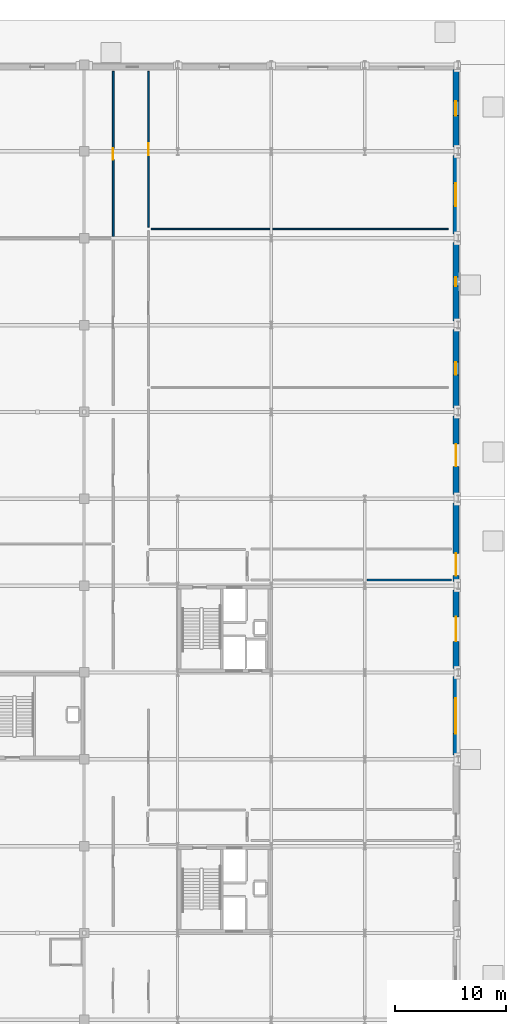
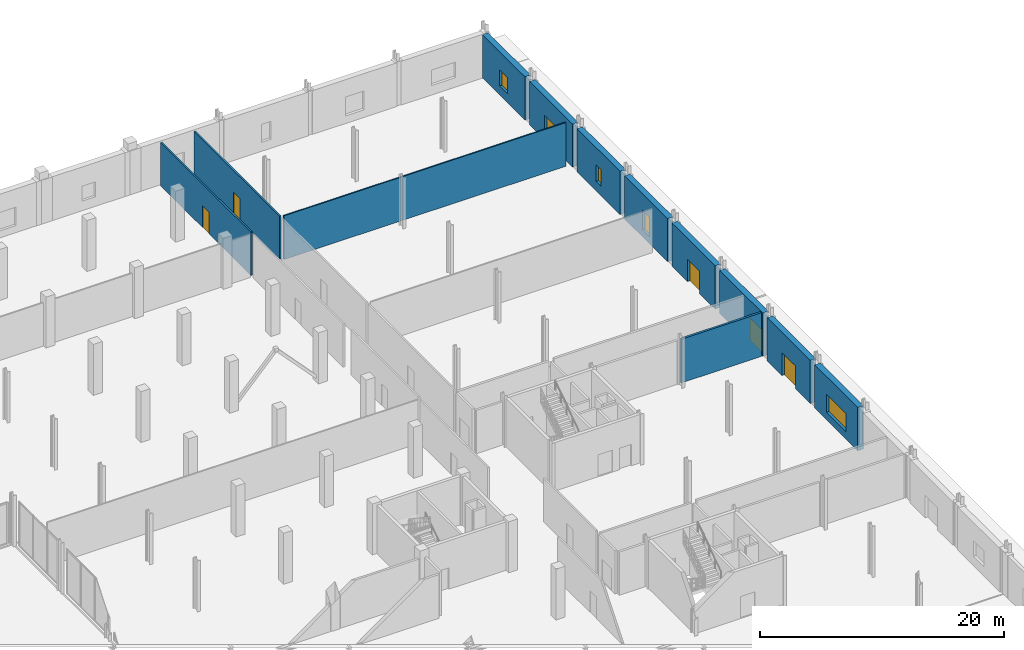
# One storey, part 58 of 80: 12 walls, 5 doors, 5 windows, 10 openings.
"""IFC4 building model written with IfcOpenShell, lengths in metres."""

from ifc_helpers import new_model, si_unit, direction, frame, frame_2d, origin, place, context, subcontext, project, spatial, rectangle, extrude, material, layer, layer_set, type_object, element, fill, save


model = new_model("IFC4")

# Units and contexts
model_context = context("Model", 3, precision=1e-05, world=origin(), true_north=direction((0.0, 1.0)))
body_context = subcontext(model_context, "Body", "Model", "MODEL_VIEW")
ifc_project = project(units=[si_unit("LENGTHUNIT", "METRE"), si_unit("AREAUNIT", "SQUARE_METRE"), si_unit("VOLUMEUNIT", "CUBIC_METRE"), si_unit("PLANEANGLEUNIT", "RADIAN"), si_unit("MASSUNIT", "GRAM", prefix="KILO")], contexts=[model_context])

# Site, building, storey
site_placement = place(None, origin())
site = spatial("IfcSite", under=ifc_project, at=site_placement, CompositionType="ELEMENT")
building_placement = place(site_placement, origin())
building = spatial("IfcBuilding", under=site, at=building_placement, Name="Nabrawat Pavilion Hospital", CompositionType="ELEMENT")
storey_placement = place(building_placement, origin())
storey = spatial("IfcBuildingStorey", under=building, at=storey_placement, Name="L00", CompositionType="ELEMENT", Elevation=0.0)

# Wall, opening, door
ifc_material_1 = material(Name="Gypsum Fireboard on Steel Stud", Category="steel")
ifc_layer_1 = layer(ifc_material_1, 0.14990234375, Name="Gypsum Fireboard on Steel Stud")
ifc_layer_set_1 = layer_set([ifc_layer_1], Name="Gypsum Fireboard on Steel Stud")
wall_type_1 = type_object("IfcWallType", Name="Clinical Corridor Smoke-Barrier Wall 150", PredefinedType="PARTITIONING", material=ifc_layer_set_1)
wall_1_placement = place(storey_placement, frame((162.2099609375, 109.360107421875, 0.0), z_axis=(0.0, 0.0, 1.0), x_axis=(0.0, 1.0, 0.0)))
wall_1 = element("IfcWall", 1, at=wall_1_placement, inside=storey, type_object=wall_type_1, Name="L00 Day Oncology Infusion Suite L00-06 Front Partition", PredefinedType="PARTITIONING", context=body_context, shape_type="SweptSolid", body=[
    extrude(rectangle(XDim=14.81982421875, YDim=0.14990234375, at=frame_2d((7.409912109375, 0.0))), origin(), (0.0, 0.0, 1.0), 4.330078125),
])
opening_1_placement = place(wall_1_placement, frame((6.885009765625, 0.0, 0.0)))
opening_1 = element("IfcOpeningElement", 2, at=opening_1_placement, cuts=wall_1, Name="Opening D-OPC-L", PredefinedType="OPENING", context=body_context, shape_type="SweptSolid", body=[
    extrude(rectangle(XDim=1.050048828125, YDim=2.14990234375, at=frame_2d((0.52490234375, 1.074951171875))), frame((0.0, 0.0849609375, 0.0), z_axis=(0.0, -1.0, 0.0), x_axis=(1.0, 0.0, 0.0)), (0.0, 0.0, 1.0), 0.169921875),
])
ifc_material_2 = material(Name="Stainless-Clad Acoustic Timber and Vision Glass", Category="wood")
door_type_1 = type_object("IfcDoorType", Name="Outpatient Clinic Consultation Door L 1050x2150", OperationType="NOTDEFINED", PredefinedType="DOOR", material=ifc_material_2)
door_1_placement = place(opening_1_placement, origin())
door_1 = element("IfcDoor", 3, at=door_1_placement, inside=storey, type_object=door_type_1, Name="Day Oncology Infusion Suite L00-06 Door", OperationType="SINGLE_SWING_RIGHT", OverallHeight=2.14990234375, OverallWidth=1.050048828125, PredefinedType="DOOR", context=body_context, shape_type="SweptSolid", body=[
    extrude(rectangle(XDim=1.050048828125, YDim=2.14990234375, at=frame_2d((0.52490234375, 1.074951171875))), frame((0.0, 0.02490234375, 0.0), z_axis=(0.0, -1.0, 0.0), x_axis=(1.0, 0.0, 0.0)), (0.0, 0.0, 1.0), 0.050048828125),
])
fill(opening_1, door_1)

wall_2_placement = place(storey_placement, frame((165.389892578125, 110.18994140625, 0.0), z_axis=(0.0, 0.0, 1.0), x_axis=(0.0, 1.0, 0.0)))
wall_2 = element("IfcWall", 4, at=wall_2_placement, inside=storey, type_object=wall_type_1, Name="L00 Acute Inpatient Ward Clinical Care Hub L00-11 Front Partition", PredefinedType="PARTITIONING", context=body_context, shape_type="SweptSolid", body=[
    extrude(rectangle(XDim=13.989990234375, YDim=0.14990234375, at=frame_2d((6.9951171875, 0.0))), origin(), (0.0, 0.0, 1.0), 4.330078125),
])
opening_2_placement = place(wall_2_placement, frame((6.469970703125, 0.0, 0.0)))
opening_2 = element("IfcOpeningElement", 5, at=opening_2_placement, cuts=wall_2, Name="Opening D-OPC-R", PredefinedType="OPENING", context=body_context, shape_type="SweptSolid", body=[
    extrude(rectangle(XDim=1.050048828125, YDim=2.14990234375, at=frame_2d((0.52490234375, 1.074951171875))), frame((0.0, 0.0849609375, 0.0), z_axis=(0.0, -1.0, 0.0), x_axis=(1.0, 0.0, 0.0)), (0.0, 0.0, 1.0), 0.169921875),
])
door_type_2 = type_object("IfcDoorType", Name="Outpatient Clinic Consultation Door R 1050x2150", OperationType="NOTDEFINED", PredefinedType="DOOR", material=ifc_material_2)
door_2_placement = place(opening_2_placement, origin())
door_2 = element("IfcDoor", 6, at=door_2_placement, inside=storey, type_object=door_type_2, Name="Acute Inpatient Ward Clinical Care Hub L00-11 Door", OperationType="SINGLE_SWING_LEFT", OverallHeight=2.14990234375, OverallWidth=1.050048828125, PredefinedType="DOOR", context=body_context, shape_type="SweptSolid", body=[
    extrude(rectangle(XDim=1.050048828125, YDim=2.14990234375, at=frame_2d((0.52490234375, 1.074951171875))), frame((0.0, 0.02490234375, 0.0), z_axis=(0.0, -1.0, 0.0), x_axis=(1.0, 0.0, 0.0)), (0.0, 0.0, 1.0), 0.050048828125),
])
fill(opening_2, door_2)

# Walls
ifc_material_3 = material(Name="Concrete C35/45", Category="concrete")
ifc_layer_2 = layer(ifc_material_3, 0.199951171875, Name="Concrete C35/45")
ifc_layer_set_2 = layer_set([ifc_layer_2], Name="Concrete C35/45")
wall_type_2 = type_object("IfcWallType", Name="Firefighting Lobby Compartment Wall 200", PredefinedType="PARTITIONING", material=ifc_layer_set_2)
wall_3_placement = place(storey_placement, frame((185.0, 78.5, 0.0), z_axis=(0.0, 0.0, 1.0), x_axis=(1.0, 0.0, 0.0)))
element("IfcWall", 7, at=wall_3_placement, inside=storey, type_object=wall_type_2, Name="L00 ST-06 Protected Exit Passage South Fire Wall 3", PredefinedType="PARTITIONING", context=body_context, shape_type="SweptSolid", body=[
    extrude(rectangle(XDim=7.60009765625, YDim=0.199951171875, at=frame_2d((3.800048828125, 0.0))), origin(), (0.0, 0.0, 1.0), 4.3798828125),
])
ifc_material_4 = material(Name="Gypsum Plasterboard on Stud", Category="gypsum")
ifc_layer_3 = layer(ifc_material_4, 0.1201171875, Name="Gypsum Plasterboard on Stud")
ifc_layer_set_3 = layer_set([ifc_layer_3], Name="Gypsum Plasterboard on Stud")
wall_type_3 = type_object("IfcWallType", Name="Outpatient Consultation Partition 120", PredefinedType="PARTITIONING", material=ifc_layer_set_3)
wall_4_placement = place(storey_placement, frame((165.610107421875, 110.030029296875, 0.0), z_axis=(0.0, 0.0, 1.0), x_axis=(1.0, 0.0, 0.0)))
element("IfcWall", 8, at=wall_4_placement, inside=storey, type_object=wall_type_3, Name="L00 Renal Haemodialysis Treatment Station L00-10 Dividing Partition", PredefinedType="PARTITIONING", context=body_context, shape_type="SweptSolid", body=[
    extrude(rectangle(XDim=26.699951171875, YDim=0.1201171875, at=frame_2d((13.35009765625, 0.0))), origin(), (0.0, 0.0, 1.0), 4.3798828125),
])

# Wall, opening, window
ifc_material_5 = material(Name="Precast concrete C40/50", Category="concrete")
ifc_layer_4 = layer(ifc_material_5, 0.5400390625, Name="Precast concrete C40/50")
ifc_layer_set_4 = layer_set([ifc_layer_4], Name="Precast concrete C40/50")
wall_type_4 = type_object("IfcWallType", Name="Podium Monumental Limestone-Clad Wall 540", PredefinedType="SOLIDWALL", material=ifc_layer_set_4)
wall_5_placement = place(storey_placement, frame((192.97998046875, 62.77490234375, 0.0), z_axis=(0.0, 0.0, 1.0), x_axis=(0.0, 1.0, 0.0)))
wall_5 = element("IfcWall", 9, at=wall_5_placement, inside=storey, type_object=wall_type_4, Name="L00 Podium Monumental Limestone-Clad Wall 540 162", PredefinedType="SOLIDWALL", context=body_context, shape_type="SweptSolid", body=[
    extrude(rectangle(XDim=7.050048828125, YDim=0.5400390625, at=frame_2d((3.52490234375, 0.0))), origin(), (0.0, 0.0, 1.0), 4.330078125),
])
opening_3_placement = place(wall_5_placement, frame((1.925048828125, 0.0, 0.75)))
opening_3 = element("IfcOpeningElement", 10, at=opening_3_placement, cuts=wall_5, Name="Opening WN-26", PredefinedType="OPENING", context=body_context, shape_type="SweptSolid", body=[
    extrude(rectangle(XDim=3.199951171875, YDim=1.800048828125, at=frame_2d((1.60009765625, 0.89990234375))), frame((0.0, 0.280029296875, 0.0), z_axis=(0.0, -1.0, 0.0), x_axis=(1.0, 0.0, 0.0)), (0.0, 0.0, 1.0), 0.56005859375),
])
ifc_material_6 = material(Name="Thermally Broken Aluminium and Solar Glass", Category="aluminium")
window_type_1 = type_object("IfcWindowType", Name="Dayroom Picture Window 3200x1800", PartitioningType="SINGLE_PANEL", PredefinedType="WINDOW", material=ifc_material_6)
window_1_placement = place(opening_3_placement, origin())
window_1 = element("IfcWindow", 11, at=window_1_placement, inside=storey, type_object=window_type_1, Name="L00 Dayroom Picture Window 3200x1800 058", OverallHeight=1.800048828125, OverallWidth=3.199951171875, PartitioningType="SINGLE_PANEL", PredefinedType="WINDOW", context=body_context, shape_type="SweptSolid", body=[
    extrude(rectangle(XDim=3.199951171875, YDim=1.800048828125, at=frame_2d((1.60009765625, 0.89990234375))), frame((0.0, 0.030029296875, 0.0), z_axis=(0.0, -1.0, 0.0), x_axis=(1.0, 0.0, 0.0)), (0.0, 0.0, 1.0), 0.06005859375),
])
fill(opening_3, window_1)

# Wall, opening, door
wall_6_placement = place(storey_placement, frame((192.97998046875, 70.574951171875, 0.0), z_axis=(0.0, 0.0, 1.0), x_axis=(0.0, 1.0, 0.0)))
wall_6 = element("IfcWall", 12, at=wall_6_placement, inside=storey, type_object=wall_type_4, Name="L00 Podium Monumental Limestone-Clad Wall 540 163", PredefinedType="SOLIDWALL", context=body_context, shape_type="SweptSolid", body=[
    extrude(rectangle(XDim=7.050048828125, YDim=0.5400390625, at=frame_2d((3.52490234375, 0.0))), origin(), (0.0, 0.0, 1.0), 4.330078125),
])
opening_4_placement = place(wall_6_placement, frame((2.425048828125, 0.0, 0.0)))
opening_4 = element("IfcOpeningElement", 13, at=opening_4_placement, cuts=wall_6, Name="Opening ED-EXIT-220", PredefinedType="OPENING", context=body_context, shape_type="SweptSolid", body=[
    extrude(rectangle(XDim=2.199951171875, YDim=2.300048828125, at=frame_2d((1.10009765625, 1.14990234375))), frame((0.0, 0.280029296875, 0.0), z_axis=(0.0, -1.0, 0.0), x_axis=(1.0, 0.0, 0.0)), (0.0, 0.0, 1.0), 0.56005859375),
])
ifc_material_7 = material(Name="Powder-Coated Galvanised Steel and Safety Glass", Category="steel")
door_type_3 = type_object("IfcDoorType", Name="Perimeter Double Final-Exit Door 2200x2300", OperationType="NOTDEFINED", PredefinedType="DOOR", material=ifc_material_7)
door_3_placement = place(opening_4_placement, frame((2.199951171875, 0.0, 0.0), z_axis=(0.0, 0.0, 1.0), x_axis=(-1.0, 0.0, 0.0)))
door_3 = element("IfcDoor", 14, at=door_3_placement, inside=storey, type_object=door_type_3, Name="L00 Perimeter Final Exit Door 30", OperationType="DOUBLE_DOOR_SINGLE_SWING", OverallHeight=2.300048828125, OverallWidth=2.199951171875, PredefinedType="DOOR", context=body_context, shape_type="SweptSolid", body=[
    extrude(rectangle(XDim=2.199951171875, YDim=2.300048828125, at=frame_2d((1.10009765625, 1.14990234375))), frame((0.0, 0.02490234375, 0.0), z_axis=(0.0, -1.0, 0.0), x_axis=(1.0, 0.0, 0.0)), (0.0, 0.0, 1.0), 0.050048828125),
])
fill(opening_4, door_3)

wall_7_placement = place(storey_placement, frame((192.97998046875, 78.375, 0.0), z_axis=(0.0, 0.0, 1.0), x_axis=(0.0, 1.0, 0.0)))
wall_7 = element("IfcWall", 15, at=wall_7_placement, inside=storey, type_object=wall_type_4, Name="L00 Podium Monumental Limestone-Clad Wall 540 164", PredefinedType="SOLIDWALL", context=body_context, shape_type="SweptSolid", body=[
    extrude(rectangle(XDim=7.050048828125, YDim=0.5400390625, at=frame_2d((3.52490234375, 0.0))), origin(), (0.0, 0.0, 1.0), 4.330078125),
])
opening_5_placement = place(wall_7_placement, frame((0.52490234375, 0.0, 0.0)))
opening_5 = element("IfcOpeningElement", 16, at=opening_5_placement, cuts=wall_7, Name="Opening ED-EXIT-200", PredefinedType="OPENING", context=body_context, shape_type="SweptSolid", body=[
    extrude(rectangle(XDim=2.0, YDim=2.25, at=frame_2d((1.0, 1.125))), frame((0.0, 0.280029296875, 0.0), z_axis=(0.0, -1.0, 0.0), x_axis=(1.0, 0.0, 0.0)), (0.0, 0.0, 1.0), 0.56005859375),
])
door_type_4 = type_object("IfcDoorType", Name="Secondary Final-Exit Double Door 2000x2250", OperationType="NOTDEFINED", PredefinedType="DOOR", material=ifc_material_7)
door_4_placement = place(opening_5_placement, frame((2.0, 0.0, 0.0), z_axis=(0.0, 0.0, 1.0), x_axis=(-1.0, 0.0, 0.0)))
door_4 = element("IfcDoor", 17, at=door_4_placement, inside=storey, type_object=door_type_4, Name="L00 ST-06 Protected Exit Discharge Final Exit Door", OperationType="DOUBLE_DOOR_SINGLE_SWING", OverallHeight=2.25, OverallWidth=2.0, PredefinedType="DOOR", context=body_context, shape_type="SweptSolid", body=[
    extrude(rectangle(XDim=2.0, YDim=2.25, at=frame_2d((1.0, 1.125))), frame((0.0, 0.02490234375, 0.0), z_axis=(0.0, -1.0, 0.0), x_axis=(1.0, 0.0, 0.0)), (0.0, 0.0, 1.0), 0.050048828125),
])
fill(opening_5, door_4)

wall_8_placement = place(storey_placement, frame((192.97998046875, 86.175048828125, 0.0), z_axis=(0.0, 0.0, 1.0), x_axis=(0.0, 1.0, 0.0)))
wall_8 = element("IfcWall", 18, at=wall_8_placement, inside=storey, type_object=wall_type_4, Name="L00 Podium Monumental Limestone-Clad Wall 540 165", PredefinedType="SOLIDWALL", context=body_context, shape_type="SweptSolid", body=[
    extrude(rectangle(XDim=7.050048828125, YDim=0.5400390625, at=frame_2d((3.52490234375, 0.0))), origin(), (0.0, 0.0, 1.0), 4.330078125),
])
opening_6_placement = place(wall_8_placement, frame((2.52490234375, 0.0, 0.0)))
opening_6 = element("IfcOpeningElement", 19, at=opening_6_placement, cuts=wall_8, Name="Opening ED-EXIT-200", PredefinedType="OPENING", context=body_context, shape_type="SweptSolid", body=[
    extrude(rectangle(XDim=2.0, YDim=2.25, at=frame_2d((1.0, 1.125))), frame((0.0, 0.280029296875, 0.0), z_axis=(0.0, -1.0, 0.0), x_axis=(1.0, 0.0, 0.0)), (0.0, 0.0, 1.0), 0.56005859375),
])
door_5_placement = place(opening_6_placement, frame((2.0, 0.0, 0.0), z_axis=(0.0, 0.0, 1.0), x_axis=(-1.0, 0.0, 0.0)))
door_5 = element("IfcDoor", 20, at=door_5_placement, inside=storey, type_object=door_type_4, Name="L00 Perimeter Final Exit Door 32", OperationType="DOUBLE_DOOR_SINGLE_SWING", OverallHeight=2.25, OverallWidth=2.0, PredefinedType="DOOR", context=body_context, shape_type="SweptSolid", body=[
    extrude(rectangle(XDim=2.0, YDim=2.25, at=frame_2d((1.0, 1.125))), frame((0.0, 0.02490234375, 0.0), z_axis=(0.0, -1.0, 0.0), x_axis=(1.0, 0.0, 0.0)), (0.0, 0.0, 1.0), 0.050048828125),
])
fill(opening_6, door_5)

# Wall, opening, window
wall_9_placement = place(storey_placement, frame((192.97998046875, 93.97509765625, 0.0), z_axis=(0.0, 0.0, 1.0), x_axis=(0.0, 1.0, 0.0)))
wall_9 = element("IfcWall", 21, at=wall_9_placement, inside=storey, type_object=wall_type_4, Name="L00 Podium Monumental Limestone-Clad Wall 540 166", PredefinedType="SOLIDWALL", context=body_context, shape_type="SweptSolid", body=[
    extrude(rectangle(XDim=7.0498046875, YDim=0.5400390625, at=frame_2d((3.52490234375, 0.0))), origin(), (0.0, 0.0, 1.0), 4.330078125),
])
opening_7_placement = place(wall_9_placement, frame((2.949951171875, 0.0, 0.699951171875)))
opening_7 = element("IfcOpeningElement", 22, at=opening_7_placement, cuts=wall_9, Name="Opening WN-27", PredefinedType="OPENING", context=body_context, shape_type="SweptSolid", body=[
    extrude(rectangle(XDim=1.14990234375, YDim=1.949951171875, at=frame_2d((0.574951171875, 0.97509765625))), frame((0.0, 0.280029296875, 0.0), z_axis=(0.0, -1.0, 0.0), x_axis=(1.0, 0.0, 0.0)), (0.0, 0.0, 1.0), 0.56005859375),
])
window_type_2 = type_object("IfcWindowType", Name="Clinical Library Tall Window 1150x1950", PartitioningType="SINGLE_PANEL", PredefinedType="WINDOW", material=ifc_material_6)
window_2_placement = place(opening_7_placement, origin())
window_2 = element("IfcWindow", 23, at=window_2_placement, inside=storey, type_object=window_type_2, Name="L00 Clinical Library Tall Window 1150x1950 059", OverallHeight=1.949951171875, OverallWidth=1.14990234375, PartitioningType="SINGLE_PANEL", PredefinedType="WINDOW", context=body_context, shape_type="SweptSolid", body=[
    extrude(rectangle(XDim=1.14990234375, YDim=1.949951171875, at=frame_2d((0.574951171875, 0.97509765625))), frame((0.0, 0.030029296875, 0.0), z_axis=(0.0, -1.0, 0.0), x_axis=(1.0, 0.0, 0.0)), (0.0, 0.0, 1.0), 0.06005859375),
])
fill(opening_7, window_2)

wall_10_placement = place(storey_placement, frame((192.97998046875, 101.77490234375, 0.0), z_axis=(0.0, 0.0, 1.0), x_axis=(0.0, 1.0, 0.0)))
wall_10 = element("IfcWall", 24, at=wall_10_placement, inside=storey, type_object=wall_type_4, Name="L00 Podium Monumental Limestone-Clad Wall 540 167", PredefinedType="SOLIDWALL", context=body_context, shape_type="SweptSolid", body=[
    extrude(rectangle(XDim=7.050048828125, YDim=0.5400390625, at=frame_2d((3.52490234375, 0.0))), origin(), (0.0, 0.0, 1.0), 4.330078125),
])
opening_8_placement = place(wall_10_placement, frame((3.125, 0.0, 0.949951171875)))
opening_8 = element("IfcOpeningElement", 25, at=opening_8_placement, cuts=wall_10, Name="Opening WN-28", PredefinedType="OPENING", context=body_context, shape_type="SweptSolid", body=[
    extrude(rectangle(XDim=0.800048828125, YDim=1.64990234375, at=frame_2d((0.39990234375, 0.824951171875))), frame((0.0, 0.280029296875, 0.0), z_axis=(0.0, -1.0, 0.0), x_axis=(1.0, 0.0, 0.0)), (0.0, 0.0, 1.0), 0.56005859375),
])
window_type_3 = type_object("IfcWindowType", Name="Staff Rest Narrow Slot Window 800x1650", PartitioningType="SINGLE_PANEL", PredefinedType="WINDOW", material=ifc_material_6)
window_3_placement = place(opening_8_placement, origin())
window_3 = element("IfcWindow", 26, at=window_3_placement, inside=storey, type_object=window_type_3, Name="L00 Staff Rest Narrow Slot Window 800x1650 060", OverallHeight=1.64990234375, OverallWidth=0.800048828125, PartitioningType="SINGLE_PANEL", PredefinedType="WINDOW", context=body_context, shape_type="SweptSolid", body=[
    extrude(rectangle(XDim=0.800048828125, YDim=1.64990234375, at=frame_2d((0.39990234375, 0.824951171875))), frame((0.0, 0.030029296875, 0.0), z_axis=(0.0, -1.0, 0.0), x_axis=(1.0, 0.0, 0.0)), (0.0, 0.0, 1.0), 0.06005859375),
])
fill(opening_8, window_3)

wall_11_placement = place(storey_placement, frame((192.97998046875, 109.574951171875, 0.0), z_axis=(0.0, 0.0, 1.0), x_axis=(0.0, 1.0, 0.0)))
wall_11 = element("IfcWall", 27, at=wall_11_placement, inside=storey, type_object=wall_type_4, Name="L00 Podium Monumental Limestone-Clad Wall 540 168", PredefinedType="SOLIDWALL", context=body_context, shape_type="SweptSolid", body=[
    extrude(rectangle(XDim=7.050048828125, YDim=0.5400390625, at=frame_2d((3.52490234375, 0.0))), origin(), (0.0, 0.0, 1.0), 4.330078125),
])
opening_9_placement = place(wall_11_placement, frame((2.5, 0.0, 1.050048828125)))
opening_9 = element("IfcOpeningElement", 28, at=opening_9_placement, cuts=wall_11, Name="Opening WN-29", PredefinedType="OPENING", context=body_context, shape_type="SweptSolid", body=[
    extrude(rectangle(XDim=2.050048828125, YDim=1.39990234375, at=frame_2d((1.02490234375, 0.699951171875))), frame((0.0, 0.280029296875, 0.0), z_axis=(0.0, -1.0, 0.0), x_axis=(1.0, 0.0, 0.0)), (0.0, 0.0, 1.0), 0.56005859375),
])
window_type_4 = type_object("IfcWindowType", Name="Endoscopy Recovery Window 2050x1400", PartitioningType="SINGLE_PANEL", PredefinedType="WINDOW", material=ifc_material_6)
window_4_placement = place(opening_9_placement, origin())
window_4 = element("IfcWindow", 29, at=window_4_placement, inside=storey, type_object=window_type_4, Name="L00 Endoscopy Recovery Window 2050x1400 061", OverallHeight=1.39990234375, OverallWidth=2.050048828125, PartitioningType="SINGLE_PANEL", PredefinedType="WINDOW", context=body_context, shape_type="SweptSolid", body=[
    extrude(rectangle(XDim=2.050048828125, YDim=1.39990234375, at=frame_2d((1.02490234375, 0.699951171875))), frame((0.0, 0.030029296875, 0.0), z_axis=(0.0, -1.0, 0.0), x_axis=(1.0, 0.0, 0.0)), (0.0, 0.0, 1.0), 0.06005859375),
])
fill(opening_9, window_4)

wall_12_placement = place(storey_placement, frame((192.97998046875, 117.375, 0.0), z_axis=(0.0, 0.0, 1.0), x_axis=(0.0, 1.0, 0.0)))
wall_12 = element("IfcWall", 30, at=wall_12_placement, inside=storey, type_object=wall_type_4, Name="L00 Podium Monumental Limestone-Clad Wall 540 169", PredefinedType="SOLIDWALL", context=body_context, shape_type="SweptSolid", body=[
    extrude(rectangle(XDim=6.985107421875, YDim=0.5400390625, at=frame_2d((3.49267578125, 0.0))), origin(), (0.0, 0.0, 1.0), 4.330078125),
])
opening_10_placement = place(wall_12_placement, frame((2.842529296875, 0.0, 0.89990234375)))
opening_10 = element("IfcOpeningElement", 31, at=opening_10_placement, cuts=wall_12, Name="Opening WN-30", PredefinedType="OPENING", context=body_context, shape_type="SweptSolid", body=[
    extrude(rectangle(XDim=1.300048828125, YDim=1.60009765625, at=frame_2d((0.64990234375, 0.800048828125))), frame((0.0, 0.280029296875, 0.0), z_axis=(0.0, -1.0, 0.0), x_axis=(1.0, 0.0, 0.0)), (0.0, 0.0, 1.0), 0.56005859375),
])
window_type_5 = type_object("IfcWindowType", Name="Genetics Clinic Window 1300x1600", PartitioningType="SINGLE_PANEL", PredefinedType="WINDOW", material=ifc_material_6)
window_5_placement = place(opening_10_placement, origin())
window_5 = element("IfcWindow", 32, at=window_5_placement, inside=storey, type_object=window_type_5, Name="L00 Genetics Clinic Window 1300x1600 062", OverallHeight=1.60009765625, OverallWidth=1.300048828125, PartitioningType="SINGLE_PANEL", PredefinedType="WINDOW", context=body_context, shape_type="SweptSolid", body=[
    extrude(rectangle(XDim=1.300048828125, YDim=1.60009765625, at=frame_2d((0.64990234375, 0.800048828125))), frame((0.0, 0.030029296875, 0.0), z_axis=(0.0, -1.0, 0.0), x_axis=(1.0, 0.0, 0.0)), (0.0, 0.0, 1.0), 0.06005859375),
])
fill(opening_10, window_5)

save(model, "model.ifc")
